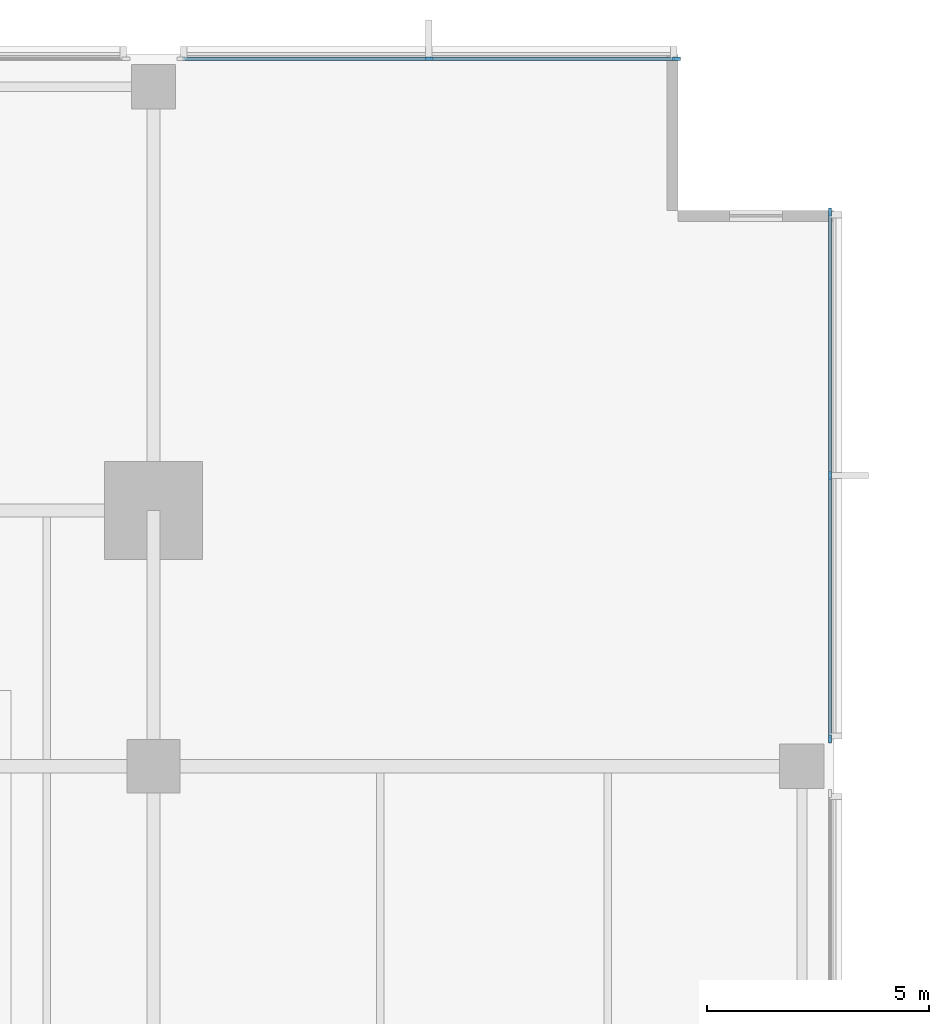
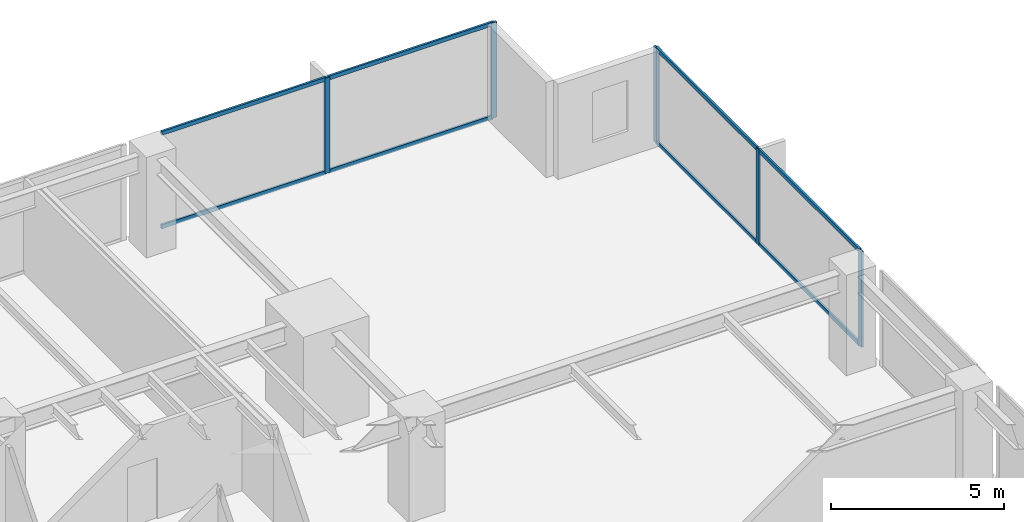
# One storey, part 6 of 15: 13 members, 2 elements without a shape of their own.
"""IFC4 building model written with IfcOpenShell, lengths in metres."""

from ifc_helpers import new_model, si_unit, direction, frame, origin, origin_2d, place, context, subcontext, project, spatial, rectangle, extrude, material, layer, layer_set, material_profile, profile_set, type_object, element, aggregate, save


model = new_model("IFC4")

# Units and contexts
model_context = context("Model", 3, precision=1e-05, world=origin(), true_north=direction((0.0, 1.0)))
body_context = subcontext(model_context, "Body", "Model", "MODEL_VIEW")
ifc_project = project(units=[si_unit("LENGTHUNIT", "METRE"), si_unit("AREAUNIT", "SQUARE_METRE"), si_unit("VOLUMEUNIT", "CUBIC_METRE"), si_unit("PLANEANGLEUNIT", "RADIAN"), si_unit("MASSUNIT", "GRAM", prefix="KILO")], contexts=[model_context])

# Site, building, storey
site_placement = place(None, origin())
site = spatial("IfcSite", under=ifc_project, at=site_placement, CompositionType="ELEMENT")
building_placement = place(site_placement, origin())
building = spatial("IfcBuilding", under=site, at=building_placement, Name="Kinhvarn Gate Tower", CompositionType="ELEMENT")
storey_placement = place(building_placement, frame((0.0, 0.0, 39.800048828125)))
storey = spatial("IfcBuildingStorey", under=building, at=storey_placement, Name="L09", CompositionType="ELEMENT", Elevation=39.800048828125)

# Curtain wall, members
ifc_material = material(Name="Anodised aluminium AW-6063", Category="aluminium")
ifc_layer = layer(ifc_material, 0.179931640625)
ifc_layer_set = layer_set([ifc_layer], Name="Anodised aluminium AW-6063")
curtain_wall_type = type_object("IfcCurtainWallType", Name="CW-SYS-2", PredefinedType="NOTDEFINED", material=ifc_layer_set)
curtain_wall_1_placement = place(storey_placement, origin())
curtain_wall_1 = element("IfcCurtainWall", 1, at=curtain_wall_1_placement, inside=storey, type_object=curtain_wall_type, Name="Curtain Wall CW2 (L09)", PredefinedType="NOTDEFINED")
ifc_material_profile_1 = material_profile(ifc_material, rectangle(XDim=0.070068359375, YDim=0.179931640625, at=origin_2d()), Name="ALU 70x180")
ifc_profile_set_1 = profile_set([ifc_material_profile_1], Name="Anodised aluminium AW-6063")
member_type_1 = type_object("IfcMemberType", Name="CW-MUL-180", PredefinedType="MULLION", material=ifc_profile_set_1)
member_1_placement = place(storey_placement, frame((49.965087890625, 47.909912109375, 0.0), z_axis=(0.0, 0.0, 1.0), x_axis=(0.0, -1.0, 0.0)))
member_1 = element("IfcMember", 2, at=member_1_placement, type_object=member_type_1, Name="CW2 mullion 1", PredefinedType="MULLION", context=body_context, shape_type="SweptSolid", body=[
    extrude(rectangle(XDim=0.070068359375, YDim=0.179931640625, at=origin_2d()), origin(), (0.0, 0.0, 1.0), 3.369873046875),
])
member_2_placement = place(storey_placement, frame((44.389892578125, 47.909912109375, 0.0), z_axis=(0.0, 0.0, 1.0), x_axis=(0.0, -1.0, 0.0)))
member_2 = element("IfcMember", 3, at=member_2_placement, type_object=member_type_1, Name="CW2 mullion 2", PredefinedType="MULLION", context=body_context, shape_type="SweptSolid", body=[
    extrude(rectangle(XDim=0.070068359375, YDim=0.179931640625, at=origin_2d()), origin(), (0.0, 0.0, 1.0), 3.369873046875),
])

curtain_wall_2_placement = place(storey_placement, origin())
curtain_wall_2 = element("IfcCurtainWall", 4, at=curtain_wall_2_placement, inside=storey, type_object=curtain_wall_type, Name="Curtain Wall CW2 (L09)", PredefinedType="NOTDEFINED")
member_3_placement = place(storey_placement, frame((53.409912109375, 32.614990234375, 0.0), z_axis=(0.0, 0.0, 1.0), x_axis=(-1.0, 0.0, 0.0)))
member_3 = element("IfcMember", 5, at=member_3_placement, type_object=member_type_1, Name="CW2 mullion 1", PredefinedType="MULLION", context=body_context, shape_type="SweptSolid", body=[
    extrude(rectangle(XDim=0.070068359375, YDim=0.179931640625, at=origin_2d()), origin(), (0.0, 0.0, 1.0), 3.369873046875),
])
member_4_placement = place(storey_placement, frame((53.409912109375, 38.5400390625, 0.0), z_axis=(0.0, 0.0, 1.0), x_axis=(-1.0, 0.0, 0.0)))
member_4 = element("IfcMember", 6, at=member_4_placement, type_object=member_type_1, Name="CW2 mullion 2", PredefinedType="MULLION", context=body_context, shape_type="SweptSolid", body=[
    extrude(rectangle(XDim=0.070068359375, YDim=0.179931640625, at=origin_2d()), origin(), (0.0, 0.0, 1.0), 3.369873046875),
])
member_5_placement = place(storey_placement, frame((53.409912109375, 44.465087890625, 0.0), z_axis=(0.0, 0.0, 1.0), x_axis=(-1.0, 0.0, 0.0)))
member_5 = element("IfcMember", 7, at=member_5_placement, type_object=member_type_1, Name="CW2 mullion 3", PredefinedType="MULLION", context=body_context, shape_type="SweptSolid", body=[
    extrude(rectangle(XDim=0.070068359375, YDim=0.179931640625, at=origin_2d()), origin(), (0.0, 0.0, 1.0), 3.369873046875),
])

# Member
ifc_material_profile_2 = material_profile(ifc_material, rectangle(XDim=0.070068359375, YDim=0.139892578125, at=origin_2d()), Name="ALU 70x140")
ifc_profile_set_2 = profile_set([ifc_material_profile_2], Name="Anodised aluminium AW-6063")
member_type_2 = type_object("IfcMemberType", Name="CW-TRN-140", PredefinedType="USERDEFINED", material=ifc_profile_set_2)
member_6_placement = place(storey_placement, frame((49.929931640625, 47.909912109375, 0.034912109375), z_axis=(-1.0, 0.0, 0.0), x_axis=(0.0, -1.0, 0.0)))
member_6 = element("IfcMember", 8, at=member_6_placement, type_object=member_type_2, Name="CW2 transom 1.1", ObjectType="TRANSOM", PredefinedType="USERDEFINED", context=body_context, shape_type="SweptSolid", body=[
    extrude(rectangle(XDim=0.070068359375, YDim=0.139892578125, at=origin_2d()), origin(), (0.0, 0.0, 1.0), 5.5048828125),
])

member_7_placement = place(storey_placement, frame((49.929931640625, 47.909912109375, 3.3349609375), z_axis=(-1.0, 0.0, 0.0), x_axis=(0.0, -1.0, 0.0)))
member_7 = element("IfcMember", 9, at=member_7_placement, type_object=member_type_2, Name="CW2 transom 1.2", ObjectType="TRANSOM", PredefinedType="USERDEFINED", context=body_context, shape_type="SweptSolid", body=[
    extrude(rectangle(XDim=0.070068359375, YDim=0.139892578125, at=origin_2d()), origin(), (0.0, 0.0, 1.0), 5.5048828125),
])

member_8_placement = place(storey_placement, frame((44.35498046875, 47.909912109375, 0.034912109375), z_axis=(-1.0, 0.0, 0.0), x_axis=(0.0, -1.0, 0.0)))
member_8 = element("IfcMember", 10, at=member_8_placement, type_object=member_type_2, Name="CW2 transom 2.1", ObjectType="TRANSOM", PredefinedType="USERDEFINED", context=body_context, shape_type="SweptSolid", body=[
    extrude(rectangle(XDim=0.070068359375, YDim=0.139892578125, at=origin_2d()), origin(), (0.0, 0.0, 1.0), 5.5048828125),
])

member_9_placement = place(storey_placement, frame((44.35498046875, 47.909912109375, 3.3349609375), z_axis=(-1.0, 0.0, 0.0), x_axis=(0.0, -1.0, 0.0)))
member_9 = element("IfcMember", 11, at=member_9_placement, type_object=member_type_2, Name="CW2 transom 2.2", ObjectType="TRANSOM", PredefinedType="USERDEFINED", context=body_context, shape_type="SweptSolid", body=[
    extrude(rectangle(XDim=0.070068359375, YDim=0.139892578125, at=origin_2d()), origin(), (0.0, 0.0, 1.0), 5.5048828125),
])

aggregate(curtain_wall_1, [member_1, member_2, member_6, member_7, member_8, member_9])

member_10_placement = place(storey_placement, frame((53.409912109375, 32.64990234375, 0.034912109375), z_axis=(0.0, 1.0, 0.0), x_axis=(-1.0, 0.0, 0.0)))
member_10 = element("IfcMember", 12, at=member_10_placement, type_object=member_type_2, Name="CW2 transom 1.1", ObjectType="TRANSOM", PredefinedType="USERDEFINED", context=body_context, shape_type="SweptSolid", body=[
    extrude(rectangle(XDim=0.070068359375, YDim=0.139892578125, at=origin_2d()), origin(), (0.0, 0.0, 1.0), 5.85498046875),
])

member_11_placement = place(storey_placement, frame((53.409912109375, 32.64990234375, 3.3349609375), z_axis=(0.0, 1.0, 0.0), x_axis=(-1.0, 0.0, 0.0)))
member_11 = element("IfcMember", 13, at=member_11_placement, type_object=member_type_2, Name="CW2 transom 1.2", ObjectType="TRANSOM", PredefinedType="USERDEFINED", context=body_context, shape_type="SweptSolid", body=[
    extrude(rectangle(XDim=0.070068359375, YDim=0.139892578125, at=origin_2d()), origin(), (0.0, 0.0, 1.0), 5.85498046875),
])

member_12_placement = place(storey_placement, frame((53.409912109375, 38.574951171875, 0.034912109375), z_axis=(0.0, 1.0, 0.0), x_axis=(-1.0, 0.0, 0.0)))
member_12 = element("IfcMember", 14, at=member_12_placement, type_object=member_type_2, Name="CW2 transom 2.1", ObjectType="TRANSOM", PredefinedType="USERDEFINED", context=body_context, shape_type="SweptSolid", body=[
    extrude(rectangle(XDim=0.070068359375, YDim=0.139892578125, at=origin_2d()), origin(), (0.0, 0.0, 1.0), 5.85498046875),
])

member_13_placement = place(storey_placement, frame((53.409912109375, 38.574951171875, 3.3349609375), z_axis=(0.0, 1.0, 0.0), x_axis=(-1.0, 0.0, 0.0)))
member_13 = element("IfcMember", 15, at=member_13_placement, type_object=member_type_2, Name="CW2 transom 2.2", ObjectType="TRANSOM", PredefinedType="USERDEFINED", context=body_context, shape_type="SweptSolid", body=[
    extrude(rectangle(XDim=0.070068359375, YDim=0.139892578125, at=origin_2d()), origin(), (0.0, 0.0, 1.0), 5.85498046875),
])

aggregate(curtain_wall_2, [member_3, member_4, member_5, member_10, member_11, member_12, member_13])

save(model, "model.ifc")
